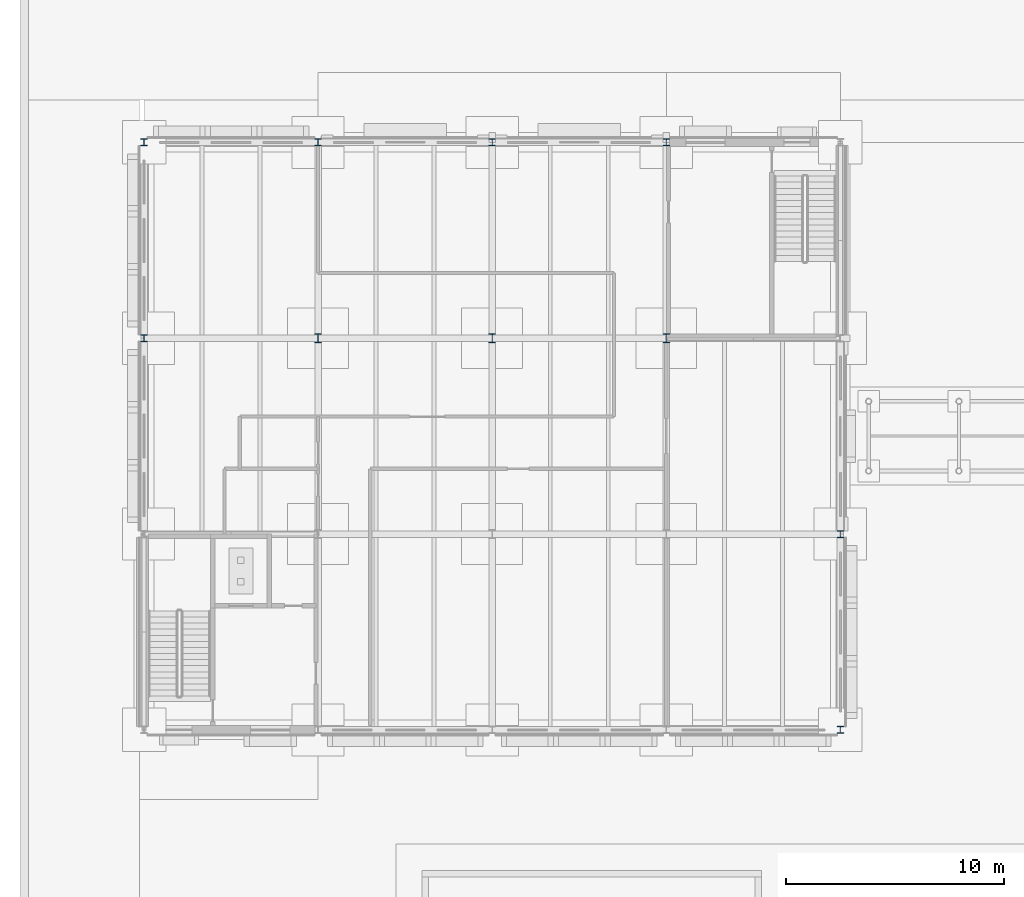
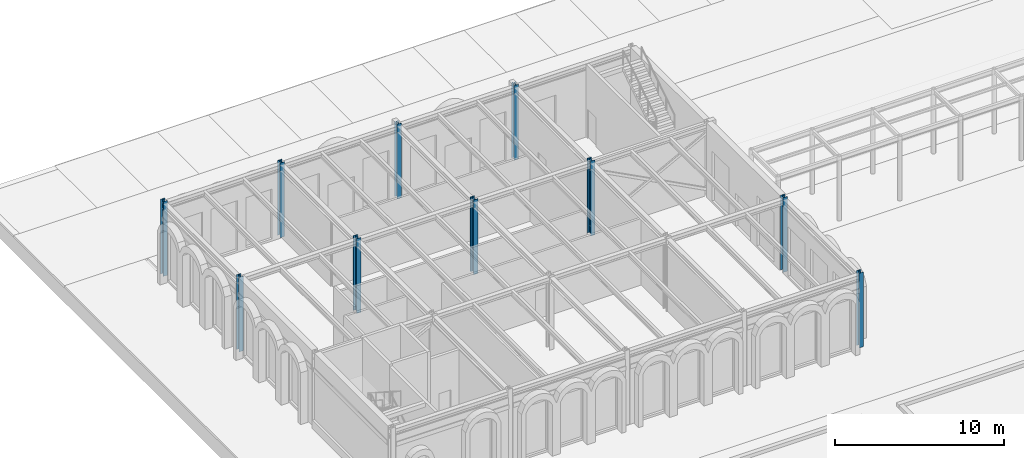
# One storey, part 16 of 126: 10 columns.
"""IFC4 building model written with IfcOpenShell, lengths in metres."""

from ifc_helpers import new_model, si_unit, direction, frame, origin, origin_2d, place, context, subcontext, project, spatial, i_section, extrude, material, material_profile, profile_set, type_object, element, save


model = new_model("IFC4")

# Units and contexts
model_context = context("Model", 3, precision=1e-05, world=origin(), true_north=direction((0.0, 1.0)))
body_context = subcontext(model_context, "Body", "Model", "MODEL_VIEW")
ifc_project = project(units=[si_unit("LENGTHUNIT", "METRE"), si_unit("AREAUNIT", "SQUARE_METRE"), si_unit("VOLUMEUNIT", "CUBIC_METRE"), si_unit("PLANEANGLEUNIT", "RADIAN"), si_unit("MASSUNIT", "GRAM", prefix="KILO")], contexts=[model_context])

# Site, building, storey
site_placement = place(None, origin())
site = spatial("IfcSite", under=ifc_project, at=site_placement, CompositionType="ELEMENT")
building_placement = place(site_placement, origin())
building = spatial("IfcBuilding", under=site, at=building_placement, Name="Kallimachos Central Library", CompositionType="ELEMENT")
storey_placement = place(building_placement, origin())
storey = spatial("IfcBuildingStorey", under=building, at=storey_placement, Name="L00", CompositionType="ELEMENT", Elevation=0.0)

# Columns
ifc_material_1 = material(Name="Steel S355J2", Category="steel")
ifc_material_profile_1 = material_profile(ifc_material_1, i_section(OverallWidth=0.300048828125, OverallDepth=0.320068359375, WebThickness=0.011474609375, FlangeThickness=0.0205078125, FilletRadius=0.027099609375, at=origin_2d()), Name="HEB 320")
ifc_profile_set_1 = profile_set([ifc_material_profile_1], Name="Steel S355J2")
column_type_1 = type_object("IfcColumnType", Name="HEB 320 column", PredefinedType="COLUMN", material=ifc_profile_set_1)
for number, where, z_axis, x_axis, name in (
    (1, (6.0, 105.0, 0.0), (0.0, 0.0, 1.0), (1.0, 0.0, 0.0), "V2-COL-L00-003"),
    (2, (6.0, 114.0, 0.0), (0.0, 0.0, 1.0), (1.0, 0.0, 0.0), "V2-COL-L00-004"),
    (3, (14.0, 114.0, 0.0), (0.0, 0.0, 1.0), (1.0, 0.0, 0.0), "V2-COL-L00-008"),
    (4, (22.0, 114.0, 0.0), (0.0, 0.0, 1.0), (1.0, 0.0, 0.0), "V2-COL-L00-012"),
    (5, (30.0, 114.0, 0.0), (0.0, 0.0, 1.0), (1.0, 0.0, 0.0), "V2-COL-L00-016"),
    (6, (38.0, 87.0, 0.0), (0.0, 0.0, 1.0), (1.0, 0.0, 0.0), "V2-COL-L00-017"),
    (7, (38.0, 96.0, 0.0), (0.0, 0.0, 1.0), (1.0, 0.0, 0.0), "V2-COL-L00-018"),
):
    element("IfcColumn", number, at=place(storey_placement, frame(where, z_axis=z_axis, x_axis=x_axis)), inside=storey, type_object=column_type_1, Name=name, PredefinedType="COLUMN", context=body_context, shape_type="SweptSolid", body=[
        extrude(i_section(OverallWidth=0.300048828125, OverallDepth=0.320068359375, WebThickness=0.011474609375, FlangeThickness=0.0205078125, FilletRadius=0.027099609375, at=origin_2d()), origin(), (0.0, 0.0, 1.0), 5.39990234375),
    ])
ifc_material_2 = material(Name="Steel S355J2", Category="steel")
ifc_material_profile_2 = material_profile(ifc_material_2, i_section(OverallWidth=0.300048828125, OverallDepth=0.39990234375, WebThickness=0.013427734375, FlangeThickness=0.02392578125, FilletRadius=0.027099609375, at=origin_2d()), Name="HEB 400")
ifc_profile_set_2 = profile_set([ifc_material_profile_2], Name="Steel S355J2")
column_type_2 = type_object("IfcColumnType", Name="HEB 400 column", PredefinedType="COLUMN", material=ifc_profile_set_2)
for number, where, z_axis, x_axis, name in (
    (8, (14.0, 105.0, 0.0), (0.0, 0.0, 1.0), (1.0, 0.0, 0.0), "V2-COL-L00-007"),
    (9, (22.0, 105.0, 0.0), (0.0, 0.0, 1.0), (1.0, 0.0, 0.0), "V2-COL-L00-011"),
    (10, (30.0, 105.0, 0.0), (0.0, 0.0, 1.0), (1.0, 0.0, 0.0), "V2-COL-L00-015"),
):
    element("IfcColumn", number, at=place(storey_placement, frame(where, z_axis=z_axis, x_axis=x_axis)), inside=storey, type_object=column_type_2, Name=name, PredefinedType="COLUMN", context=body_context, shape_type="SweptSolid", body=[
        extrude(i_section(OverallWidth=0.300048828125, OverallDepth=0.39990234375, WebThickness=0.013427734375, FlangeThickness=0.02392578125, FilletRadius=0.027099609375, at=origin_2d()), origin(), (0.0, 0.0, 1.0), 5.39990234375),
    ])

save(model, "model.ifc")
